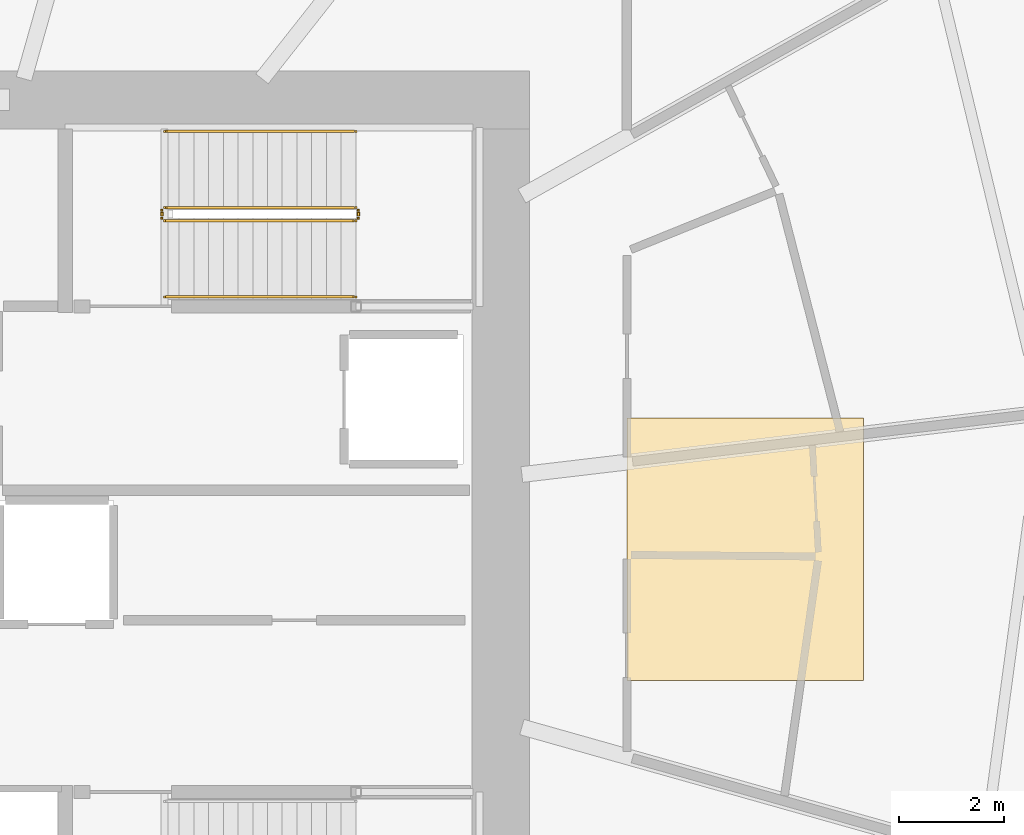
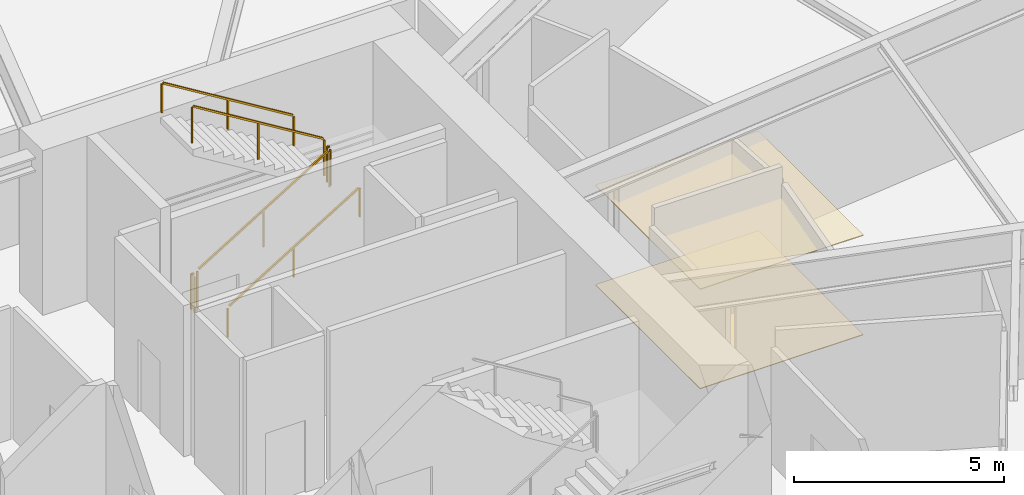
# One storey, part 21 of 21: 6 railings, 2 coverings.
"""IFC4 building model written with IfcOpenShell, lengths in metres."""

from ifc_helpers import new_model, si_unit, direction, frame, origin, origin_2d, place, context, subcontext, project, spatial, polyline, rectangle, outline, extrude, material, layer, layer_set, type_object, element, save


model = new_model("IFC4")

# Units and contexts
model_context = context("Model", 3, precision=1e-05, world=origin(), true_north=direction((0.0, 1.0)))
body_context = subcontext(model_context, "Body", "Model", "MODEL_VIEW")
ifc_project = project(units=[si_unit("LENGTHUNIT", "METRE"), si_unit("AREAUNIT", "SQUARE_METRE"), si_unit("VOLUMEUNIT", "CUBIC_METRE"), si_unit("PLANEANGLEUNIT", "RADIAN"), si_unit("MASSUNIT", "GRAM", prefix="KILO")], contexts=[model_context])

# Site, building, storey
site_placement = place(None, origin())
site = spatial("IfcSite", under=ifc_project, at=site_placement, CompositionType="ELEMENT")
building_placement = place(site_placement, origin())
building = spatial("IfcBuilding", under=site, at=building_placement, Name="Kazma Halo Residences", CompositionType="ELEMENT")
storey_placement = place(building_placement, frame((0.0, 0.0, 21.60009765625)))
storey = spatial("IfcBuildingStorey", under=building, at=storey_placement, Name="L04", CompositionType="ELEMENT", Elevation=21.60009765625)

# Coverings
ifc_material_1 = material(Name="Perforated Gypsum Acoustic Ceiling")
ifc_layer_1 = layer(ifc_material_1, 0.02490234375)
ifc_layer_set_1 = layer_set([ifc_layer_1], Name="Perforated Gypsum Acoustic Ceiling")
covering_type_1 = type_object("IfcCoveringType", Name="COV-CEIL-ACOUSTIC", PredefinedType="CEILING", material=ifc_layer_set_1)
covering_1_placement = place(storey_placement, frame((0.0, 0.0, 2.89501953125)))
element("IfcCovering", 1, at=covering_1_placement, inside=storey, type_object=covering_type_1, Name="L04 amenity acoustic ceiling", PredefinedType="CEILING", context=body_context, shape_type="SweptSolid", body=[
    extrude(outline(polyline([(62.0, 39.5), (66.5, 39.5), (66.5, 44.5), (62.0, 44.5), (62.0, 39.5)])), origin(), (0.0, 0.0, 1.0), 0.02490234375),
])
ifc_material_2 = material(Name="Polished Limestone Terrazzo Flooring", Category="masonry")
ifc_layer_2 = layer(ifc_material_2, 0.02001953125)
ifc_layer_set_2 = layer_set([ifc_layer_2], Name="Polished Limestone Terrazzo Flooring")
covering_type_2 = type_object("IfcCoveringType", Name="COV-FLR-TERRAZZO", PredefinedType="FLOORING", material=ifc_layer_set_2)
covering_2_placement = place(storey_placement, origin())
element("IfcCovering", 2, at=covering_2_placement, inside=storey, type_object=covering_type_2, Name="L04 amenity terrazzo floor finish", PredefinedType="FLOORING", context=body_context, shape_type="SweptSolid", body=[
    extrude(outline(polyline([(62.0, 39.5), (66.5, 39.5), (66.5, 44.5), (62.0, 44.5), (62.0, 39.5)])), origin(), (0.0, 0.0, 1.0), 0.02001953125),
])

# Railings
ifc_material_3 = material(Name="Painted Steel S355", Category="steel")
railing_type_1 = type_object("IfcRailingType", Name="RLG-STAIR-GRD-1100", PredefinedType="GUARDRAIL", material=ifc_material_3)
railing_1_placement = place(storey_placement, frame((53.199951171875, 48.25, 0.17138671875)))
element("IfcRailing", 3, at=railing_1_placement, inside=storey, type_object=railing_type_1, Name="L04 ST-02 stair guard 1", PredefinedType="GUARDRAIL", context=body_context, shape_type="SweptSolid", body=[
    extrude(rectangle(XDim=0.050048828125, YDim=0.050048828125, at=origin_2d()), frame((0.036376953125, 0.0, 1.09716796875), z_axis=(0.852865859571, 0.0, 0.52213008492), x_axis=(0.0, 1.0, 0.0)), (0.0, 0.0, 1.0), 4.18310546875),
    extrude(rectangle(XDim=0.0400390625, YDim=0.0400390625, at=origin_2d()), origin(), (0.0, 0.0, 1.0), 1.0380859375),
    extrude(rectangle(XDim=0.0400390625, YDim=0.0400390625, at=origin_2d()), frame((1.820068359375, 0.0, 1.1142578125)), (0.0, 0.0, 1.0), 1.0380859375),
    extrude(rectangle(XDim=0.0400390625, YDim=0.0400390625, at=origin_2d()), frame((3.64013671875, 0.0, 2.228515625)), (0.0, 0.0, 1.0), 1.0380859375),
])
railing_2_placement = place(storey_placement, frame((56.889892578125, 48.300048828125, 2.39990234375)))
element("IfcRailing", 4, at=railing_2_placement, inside=storey, type_object=railing_type_1, Name="L04 ST-02 stair guard 2", PredefinedType="GUARDRAIL", context=body_context, shape_type="SweptSolid", body=[
    extrude(rectangle(XDim=0.050048828125, YDim=0.050048828125, at=origin_2d()), frame((0.0, 0.04248046875, 1.0751953125), z_axis=(0.0, 1.0, 0.0), x_axis=(-1.0, 0.0, 0.0)), (0.0, 0.0, 1.0), 0.06494140625),
    extrude(rectangle(XDim=0.0400390625, YDim=0.0400390625, at=origin_2d()), origin(), (0.0, 0.0, 1.0), 1.0380859375),
    extrude(rectangle(XDim=0.0400390625, YDim=0.0400390625, at=origin_2d()), frame((0.0, 0.14990234375, 0.0)), (0.0, 0.0, 1.0), 1.0380859375),
])
railing_3_placement = place(storey_placement, frame((56.840087890625, 48.5, 2.5712890625)))
element("IfcRailing", 5, at=railing_3_placement, inside=storey, type_object=railing_type_1, Name="L04 ST-02 stair guard 3", PredefinedType="GUARDRAIL", context=body_context, shape_type="SweptSolid", body=[
    extrude(rectangle(XDim=0.050048828125, YDim=0.050048828125, at=origin_2d()), frame((-0.036376953125, 0.0, 1.09716796875), z_axis=(-0.852865859571, 0.0, 0.52213008492), x_axis=(0.0, -1.0, 0.0)), (0.0, 0.0, 1.0), 4.18310546875),
    extrude(rectangle(XDim=0.0400390625, YDim=0.0400390625, at=origin_2d()), origin(), (0.0, 0.0, 1.0), 1.0380859375),
    extrude(rectangle(XDim=0.0400390625, YDim=0.0400390625, at=origin_2d()), frame((-1.820068359375, 0.0, 1.1142578125)), (0.0, 0.0, 1.0), 1.0380859375),
    extrude(rectangle(XDim=0.0400390625, YDim=0.0400390625, at=origin_2d()), frame((-3.64013671875, 0.0, 2.228515625)), (0.0, 0.0, 1.0), 1.0380859375),
])
railing_4_placement = place(storey_placement, frame((53.14990234375, 48.300048828125, 0.0)))
element("IfcRailing", 6, at=railing_4_placement, inside=storey, type_object=railing_type_1, Name="L04 ST-02 stair guard 4", PredefinedType="GUARDRAIL", context=body_context, shape_type="SweptSolid", body=[
    extrude(rectangle(XDim=0.050048828125, YDim=0.050048828125, at=origin_2d()), frame((0.0, 0.04248046875, 1.0751953125), z_axis=(0.0, 1.0, 0.0), x_axis=(-1.0, 0.0, 0.0)), (0.0, 0.0, 1.0), 0.06494140625),
    extrude(rectangle(XDim=0.0400390625, YDim=0.0400390625, at=origin_2d()), origin(), (0.0, 0.0, 1.0), 1.0380859375),
    extrude(rectangle(XDim=0.0400390625, YDim=0.0400390625, at=origin_2d()), frame((0.0, 0.14990234375, 0.0)), (0.0, 0.0, 1.0), 1.0380859375),
])
ifc_material_4 = material(Name="Brushed Stainless Steel", Category="steel")
railing_type_2 = type_object("IfcRailingType", Name="RLG-STAIR-HND-900", PredefinedType="HANDRAIL", material=ifc_material_4)
railing_5_placement = place(storey_placement, frame((53.199951171875, 46.800048828125, 0.17138671875)))
element("IfcRailing", 7, at=railing_5_placement, inside=storey, type_object=railing_type_2, Name="L04 ST-02 stair handrail 1", PredefinedType="HANDRAIL", context=body_context, shape_type="SweptSolid", body=[
    extrude(rectangle(XDim=0.050048828125, YDim=0.050048828125, at=origin_2d()), frame((0.036376953125, 0.0, 0.89697265625), z_axis=(0.852865859571, 0.0, 0.52213008492), x_axis=(0.0, 1.0, 0.0)), (0.0, 0.0, 1.0), 4.18310546875),
    extrude(rectangle(XDim=0.0400390625, YDim=0.0400390625, at=origin_2d()), origin(), (0.0, 0.0, 1.0), 0.837890625),
    extrude(rectangle(XDim=0.0400390625, YDim=0.0400390625, at=origin_2d()), frame((1.820068359375, 0.0, 1.1142578125)), (0.0, 0.0, 1.0), 0.837890625),
    extrude(rectangle(XDim=0.0400390625, YDim=0.0400390625, at=origin_2d()), frame((3.64013671875, 0.0, 2.228515625)), (0.0, 0.0, 1.0), 0.837890625),
])
railing_6_placement = place(storey_placement, frame((56.840087890625, 49.949951171875, 2.5712890625)))
element("IfcRailing", 8, at=railing_6_placement, inside=storey, type_object=railing_type_2, Name="L04 ST-02 stair handrail 2", PredefinedType="HANDRAIL", context=body_context, shape_type="SweptSolid", body=[
    extrude(rectangle(XDim=0.050048828125, YDim=0.050048828125, at=origin_2d()), frame((-0.036376953125, 0.0, 0.89697265625), z_axis=(-0.852865859571, 0.0, 0.52213008492), x_axis=(0.0, -1.0, 0.0)), (0.0, 0.0, 1.0), 4.18310546875),
    extrude(rectangle(XDim=0.0400390625, YDim=0.0400390625, at=origin_2d()), origin(), (0.0, 0.0, 1.0), 0.837890625),
    extrude(rectangle(XDim=0.0400390625, YDim=0.0400390625, at=origin_2d()), frame((-1.820068359375, 0.0, 1.1142578125)), (0.0, 0.0, 1.0), 0.837890625),
    extrude(rectangle(XDim=0.0400390625, YDim=0.0400390625, at=origin_2d()), frame((-3.64013671875, 0.0, 2.228515625)), (0.0, 0.0, 1.0), 0.837890625),
])

save(model, "model.ifc")
